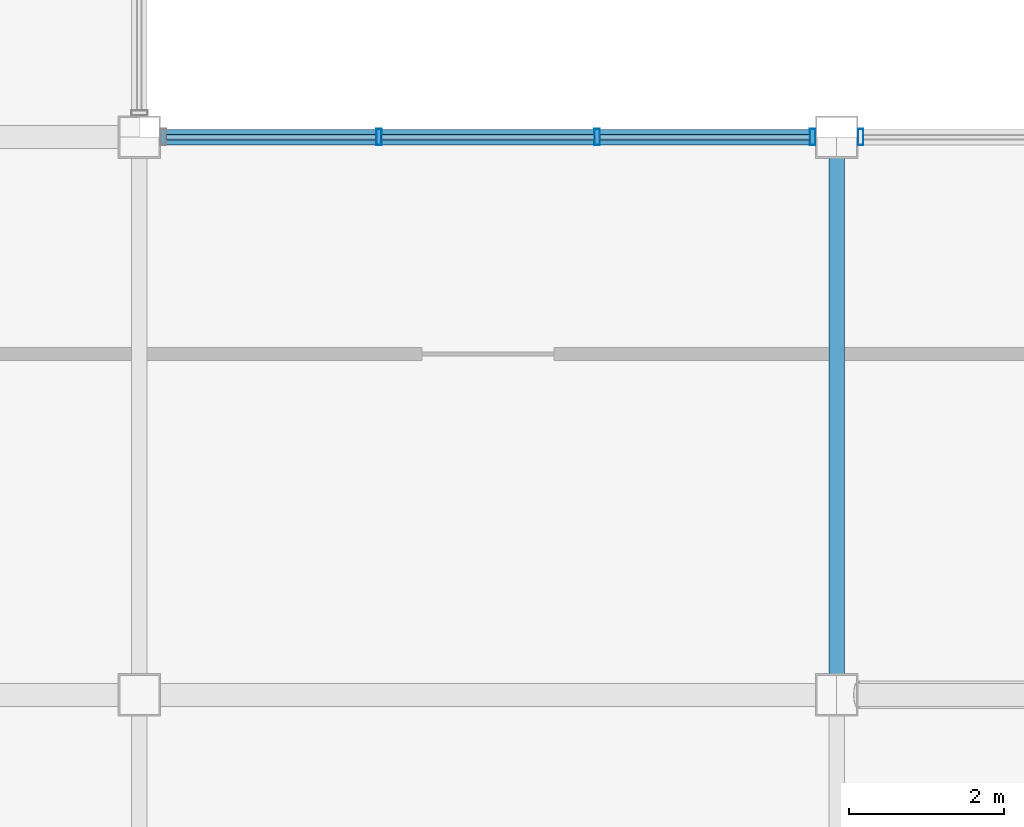
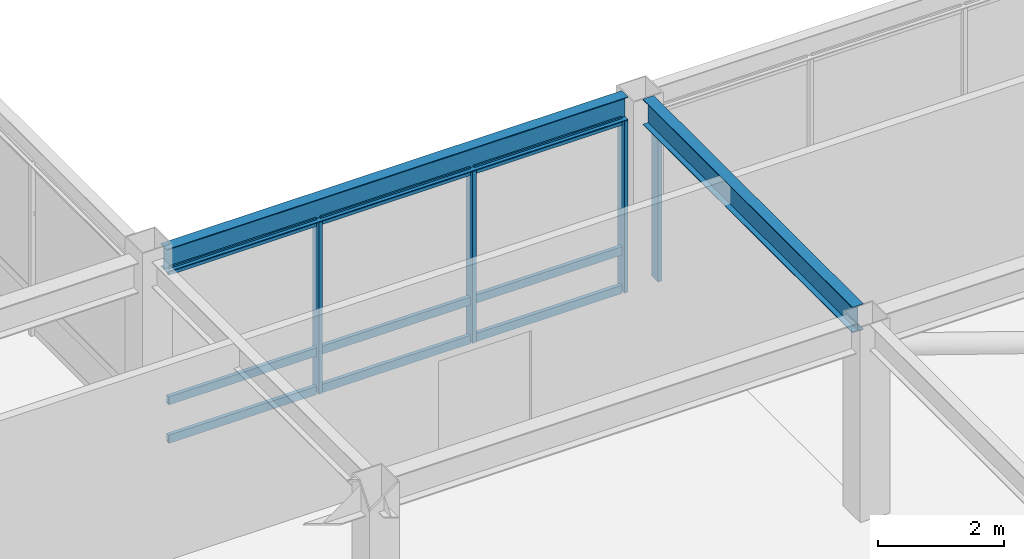
# One storey, part 34 of 113: 13 members, 2 beams, 2 elements without a shape of their own.
"""IFC4 building model written with IfcOpenShell, lengths in metres."""

from ifc_helpers import new_model, si_unit, direction, frame, origin, origin_2d, place, context, subcontext, project, spatial, hollow_rectangle, i_section, extrude, material, material_profile, profile_set, type_object, element, aggregate, save


model = new_model("IFC4")

# Units and contexts
model_context = context("Model", 3, precision=1e-05, world=origin(), true_north=direction((0.0, 1.0)))
body_context = subcontext(model_context, "Body", "Model", "MODEL_VIEW")
ifc_project = project(units=[si_unit("LENGTHUNIT", "METRE"), si_unit("AREAUNIT", "SQUARE_METRE"), si_unit("VOLUMEUNIT", "CUBIC_METRE"), si_unit("PLANEANGLEUNIT", "RADIAN"), si_unit("MASSUNIT", "GRAM", prefix="KILO")], contexts=[model_context])

# Site, building, storey
site_placement = place(None, origin())
site = spatial("IfcSite", under=ifc_project, at=site_placement, CompositionType="ELEMENT")
building_placement = place(site_placement, origin())
building = spatial("IfcBuilding", under=site, at=building_placement, Name="Kazanami Central Library", CompositionType="ELEMENT")
storey_placement = place(building_placement, frame((0.0, 0.0, 8.800048828125)))
storey = spatial("IfcBuildingStorey", under=building, at=storey_placement, Name="L03", CompositionType="ELEMENT", Elevation=8.800048828125)

# Beams
ifc_material_1 = material(Name="Steel SN490B (325 MPa)", Category="steel")
ifc_material_profile_1 = material_profile(ifc_material_1, i_section(OverallWidth=0.199951171875, OverallDepth=0.5, WebThickness=0.010009765625, FlangeThickness=0.01611328125, at=origin_2d()), Name="H-500x200x10x16")
ifc_profile_set_1 = profile_set([ifc_material_profile_1], Name="Steel SN490B (325 MPa)")
beam_type_1 = type_object("IfcBeamType", Name="BM-G-Y2", PredefinedType="BEAM", material=ifc_profile_set_1)
beam_1_placement = place(storey_placement, frame((63.0, 29.072998046875, 3.530029296875), z_axis=(0.0, 1.0, 0.0), x_axis=(-1.0, 0.0, 0.0)))
element("IfcBeam", 1, at=beam_1_placement, inside=storey, type_object=beam_type_1, Name="Girder G-Y2 L03 8/E-F", PredefinedType="BEAM", context=body_context, shape_type="SweptSolid", body=[
    extrude(i_section(OverallWidth=0.199951171875, OverallDepth=0.5, WebThickness=0.010009765625, FlangeThickness=0.01611328125, at=origin_2d()), origin(), (0.0, 0.0, 1.0), 6.654052734375),
])
ifc_material_profile_2 = material_profile(ifc_material_1, i_section(OverallWidth=0.199951171875, OverallDepth=0.449951171875, WebThickness=0.009033203125, FlangeThickness=0.013916015625, at=origin_2d()), Name="H-450x200x9x14")
ifc_profile_set_2 = profile_set([ifc_material_profile_2], Name="Steel SN490B (325 MPa)")
beam_type_2 = type_object("IfcBeamType", Name="BM-SP-2", PredefinedType="SPANDREL", material=ifc_profile_set_2)
beam_2_placement = place(storey_placement, frame((54.27294921875, 36.0, 3.554931640625), z_axis=(1.0, 0.0, 0.0), x_axis=(0.0, 1.0, 0.0)))
element("IfcBeam", 2, at=beam_2_placement, inside=storey, type_object=beam_type_2, Name="Girder SP-2 L03 F/7-8", PredefinedType="SPANDREL", context=body_context, shape_type="SweptSolid", body=[
    extrude(i_section(OverallWidth=0.199951171875, OverallDepth=0.449951171875, WebThickness=0.009033203125, FlangeThickness=0.013916015625, at=origin_2d()), origin(), (0.0, 0.0, 1.0), 8.4541015625),
])

# Curtain wall, members
ifc_material_2 = material(Name="Acid-Etched Low-E Laminated Glass", Category="glass")
curtain_wall_type = type_object("IfcCurtainWallType", Name="CW-8450x3330-M275", PredefinedType="USERDEFINED", material=ifc_material_2)
curtain_wall_1_placement = place(storey_placement, origin())
curtain_wall_1 = element("IfcCurtainWall", 3, at=curtain_wall_1_placement, inside=storey, type_object=curtain_wall_type, Name="Unitised Curtain Wall CW-25 L03 N-F-06", ObjectType="UNITISED CURTAIN WALL", PredefinedType="USERDEFINED")
ifc_material_3 = material(Name="Anodised Aluminium A6063-T5", Category="aluminium")
ifc_material_profile_3 = material_profile(ifc_material_3, hollow_rectangle(XDim=0.070068359375, YDim=0.2099609375, WallThickness=0.0048828125, at=origin_2d()), Name="ALU-MULL-70x210x5")
ifc_profile_set_3 = profile_set([ifc_material_profile_3], Name="Anodised Aluminium A6063-T5")
member_type_1 = type_object("IfcMemberType", Name="MEM-CW-M1", PredefinedType="MULLION", material=ifc_profile_set_3)
member_1_placement = place(storey_placement, frame((62.68994140625, 36.0, 0.0), z_axis=(0.0, 0.0, 1.0), x_axis=(-1.0, 0.0, 0.0)))
member_1 = element("IfcMember", 4, at=member_1_placement, type_object=member_type_1, Name="CW-25 mullion 1", PredefinedType="MULLION", context=body_context, shape_type="SweptSolid", body=[
    extrude(hollow_rectangle(XDim=0.070068359375, YDim=0.2099609375, WallThickness=0.0048828125, at=origin_2d()), origin(), (0.0, 0.0, 1.0), 3.329833984375),
])
member_2_placement = place(storey_placement, frame((59.908447265625, 36.0, 0.0), z_axis=(0.0, 0.0, 1.0), x_axis=(-1.0, 0.0, 0.0)))
member_2 = element("IfcMember", 5, at=member_2_placement, type_object=member_type_1, Name="CW-25 mullion 2", PredefinedType="MULLION", context=body_context, shape_type="SweptSolid", body=[
    extrude(hollow_rectangle(XDim=0.070068359375, YDim=0.2099609375, WallThickness=0.0048828125, at=origin_2d()), origin(), (0.0, 0.0, 1.0), 3.329833984375),
])
member_3_placement = place(storey_placement, frame((57.091552734375, 36.0, 0.0), z_axis=(0.0, 0.0, 1.0), x_axis=(-1.0, 0.0, 0.0)))
member_3 = element("IfcMember", 6, at=member_3_placement, type_object=member_type_1, Name="CW-25 mullion 3", PredefinedType="MULLION", context=body_context, shape_type="SweptSolid", body=[
    extrude(hollow_rectangle(XDim=0.070068359375, YDim=0.2099609375, WallThickness=0.0048828125, at=origin_2d()), origin(), (0.0, 0.0, 1.0), 3.329833984375),
])

# Curtain wall, member
curtain_wall_2_placement = place(storey_placement, origin())
curtain_wall_2 = element("IfcCurtainWall", 7, at=curtain_wall_2_placement, inside=storey, type_object=curtain_wall_type, Name="Unitised Curtain Wall CW-25 L03 N-F-07", ObjectType="UNITISED CURTAIN WALL", PredefinedType="USERDEFINED")
member_4_placement = place(storey_placement, frame((63.31005859375, 36.0, 0.0), z_axis=(0.0, 0.0, 1.0), x_axis=(-1.0, 0.0, 0.0)))
member_4 = element("IfcMember", 8, at=member_4_placement, type_object=member_type_1, Name="CW-25 mullion 4", PredefinedType="MULLION", context=body_context, shape_type="SweptSolid", body=[
    extrude(hollow_rectangle(XDim=0.070068359375, YDim=0.2099609375, WallThickness=0.0048828125, at=origin_2d()), origin(), (0.0, 0.0, 1.0), 3.329833984375),
])
aggregate(curtain_wall_2, [member_4])

# Member
ifc_material_profile_4 = material_profile(ifc_material_3, hollow_rectangle(XDim=0.070068359375, YDim=0.159912109375, WallThickness=0.00390625, at=origin_2d()), Name="ALU-TRAN-70x160x4")
ifc_profile_set_4 = profile_set([ifc_material_profile_4], Name="Anodised Aluminium A6063-T5")
member_type_2 = type_object("IfcMemberType", Name="MEM-CW-T1", PredefinedType="USERDEFINED", material=ifc_profile_set_4)
member_5_placement = place(storey_placement, frame((62.655029296875, 36.0, 0.034912109375), z_axis=(-1.0, 0.0, 0.0), x_axis=(0.0, -1.0, 0.0)))
member_5 = element("IfcMember", 9, at=member_5_placement, type_object=member_type_2, Name="CW-25 transom 1.1", ObjectType="TRANSOM", PredefinedType="USERDEFINED", context=body_context, shape_type="SweptSolid", body=[
    extrude(hollow_rectangle(XDim=0.070068359375, YDim=0.159912109375, WallThickness=0.00390625, at=origin_2d()), origin(), (0.0, 0.0, 1.0), 2.711669921875),
])

member_6_placement = place(storey_placement, frame((62.655029296875, 36.0, 0.780029296875), z_axis=(-1.0, 0.0, 0.0), x_axis=(0.0, -1.0, 0.0)))
member_6 = element("IfcMember", 10, at=member_6_placement, type_object=member_type_2, Name="CW-25 transom 1.2", ObjectType="TRANSOM", PredefinedType="USERDEFINED", context=body_context, shape_type="SweptSolid", body=[
    extrude(hollow_rectangle(XDim=0.070068359375, YDim=0.159912109375, WallThickness=0.00390625, at=origin_2d()), origin(), (0.0, 0.0, 1.0), 2.711669921875),
])

member_7_placement = place(storey_placement, frame((62.655029296875, 36.0, 3.294921875), z_axis=(-1.0, 0.0, 0.0), x_axis=(0.0, -1.0, 0.0)))
member_7 = element("IfcMember", 11, at=member_7_placement, type_object=member_type_2, Name="CW-25 transom 1.3", ObjectType="TRANSOM", PredefinedType="USERDEFINED", context=body_context, shape_type="SweptSolid", body=[
    extrude(hollow_rectangle(XDim=0.070068359375, YDim=0.159912109375, WallThickness=0.00390625, at=origin_2d()), origin(), (0.0, 0.0, 1.0), 2.711669921875),
])

member_8_placement = place(storey_placement, frame((59.873291015625, 36.0, 0.034912109375), z_axis=(-1.0, 0.0, 0.0), x_axis=(0.0, -1.0, 0.0)))
member_8 = element("IfcMember", 12, at=member_8_placement, type_object=member_type_2, Name="CW-25 transom 2.1", ObjectType="TRANSOM", PredefinedType="USERDEFINED", context=body_context, shape_type="SweptSolid", body=[
    extrude(hollow_rectangle(XDim=0.070068359375, YDim=0.159912109375, WallThickness=0.00390625, at=origin_2d()), origin(), (0.0, 0.0, 1.0), 2.74658203125),
])

member_9_placement = place(storey_placement, frame((59.873291015625, 36.0, 0.780029296875), z_axis=(-1.0, 0.0, 0.0), x_axis=(0.0, -1.0, 0.0)))
member_9 = element("IfcMember", 13, at=member_9_placement, type_object=member_type_2, Name="CW-25 transom 2.2", ObjectType="TRANSOM", PredefinedType="USERDEFINED", context=body_context, shape_type="SweptSolid", body=[
    extrude(hollow_rectangle(XDim=0.070068359375, YDim=0.159912109375, WallThickness=0.00390625, at=origin_2d()), origin(), (0.0, 0.0, 1.0), 2.74658203125),
])

member_10_placement = place(storey_placement, frame((59.873291015625, 36.0, 3.294921875), z_axis=(-1.0, 0.0, 0.0), x_axis=(0.0, -1.0, 0.0)))
member_10 = element("IfcMember", 14, at=member_10_placement, type_object=member_type_2, Name="CW-25 transom 2.3", ObjectType="TRANSOM", PredefinedType="USERDEFINED", context=body_context, shape_type="SweptSolid", body=[
    extrude(hollow_rectangle(XDim=0.070068359375, YDim=0.159912109375, WallThickness=0.00390625, at=origin_2d()), origin(), (0.0, 0.0, 1.0), 2.74658203125),
])

member_11_placement = place(storey_placement, frame((57.056640625, 36.0, 0.034912109375), z_axis=(-1.0, 0.0, 0.0), x_axis=(0.0, -1.0, 0.0)))
member_11 = element("IfcMember", 15, at=member_11_placement, type_object=member_type_2, Name="CW-25 transom 3.1", ObjectType="TRANSOM", PredefinedType="USERDEFINED", context=body_context, shape_type="SweptSolid", body=[
    extrude(hollow_rectangle(XDim=0.070068359375, YDim=0.159912109375, WallThickness=0.00390625, at=origin_2d()), origin(), (0.0, 0.0, 1.0), 2.711669921875),
])

member_12_placement = place(storey_placement, frame((57.056640625, 36.0, 0.780029296875), z_axis=(-1.0, 0.0, 0.0), x_axis=(0.0, -1.0, 0.0)))
member_12 = element("IfcMember", 16, at=member_12_placement, type_object=member_type_2, Name="CW-25 transom 3.2", ObjectType="TRANSOM", PredefinedType="USERDEFINED", context=body_context, shape_type="SweptSolid", body=[
    extrude(hollow_rectangle(XDim=0.070068359375, YDim=0.159912109375, WallThickness=0.00390625, at=origin_2d()), origin(), (0.0, 0.0, 1.0), 2.711669921875),
])

member_13_placement = place(storey_placement, frame((57.056640625, 36.0, 3.294921875), z_axis=(-1.0, 0.0, 0.0), x_axis=(0.0, -1.0, 0.0)))
member_13 = element("IfcMember", 17, at=member_13_placement, type_object=member_type_2, Name="CW-25 transom 3.3", ObjectType="TRANSOM", PredefinedType="USERDEFINED", context=body_context, shape_type="SweptSolid", body=[
    extrude(hollow_rectangle(XDim=0.070068359375, YDim=0.159912109375, WallThickness=0.00390625, at=origin_2d()), origin(), (0.0, 0.0, 1.0), 2.711669921875),
])

aggregate(curtain_wall_1, [member_1, member_2, member_3, member_5, member_6, member_7, member_8, member_9, member_10, member_11, member_12, member_13])

save(model, "model.ifc")
